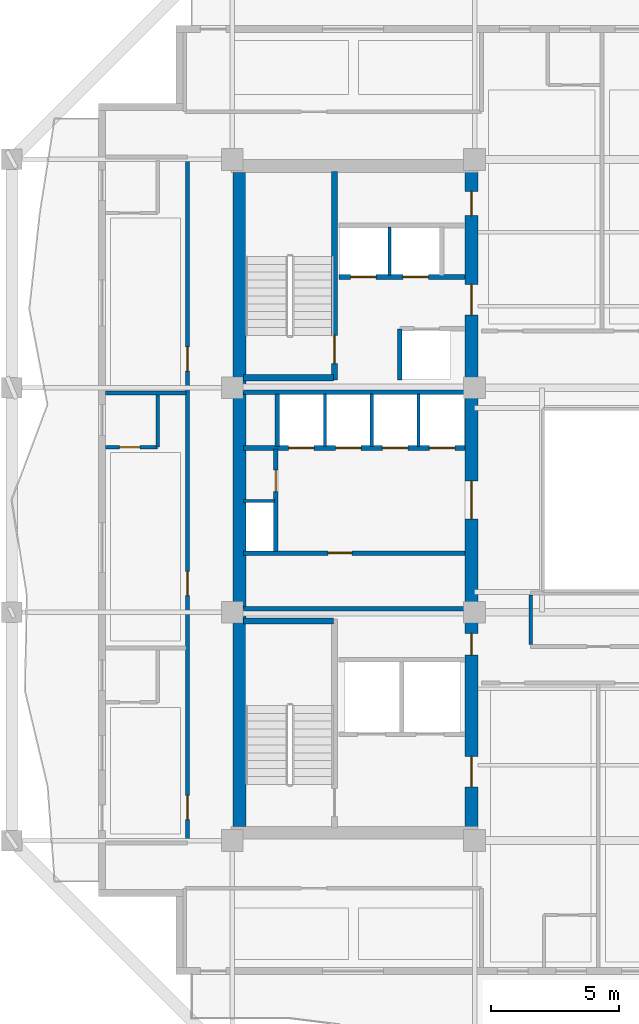
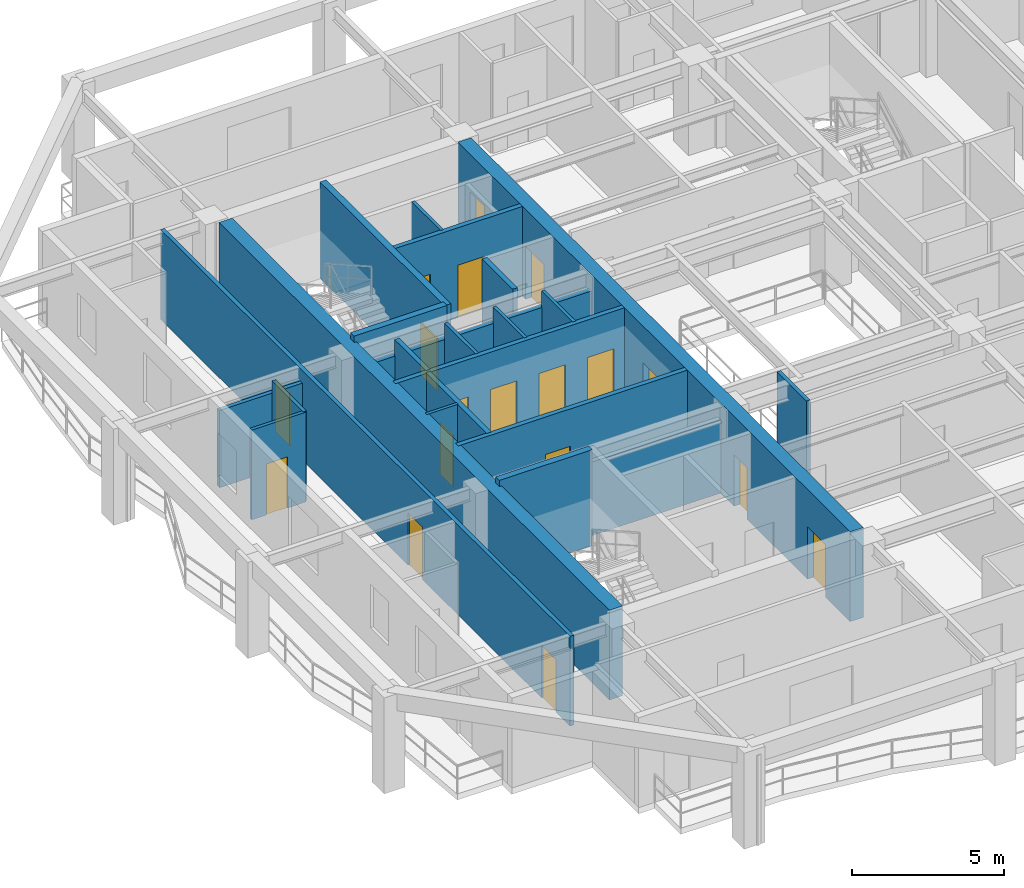
# One storey, part 4 of 11: 23 walls, 18 doors, 18 openings.
"""IFC4 building model written with IfcOpenShell, lengths in metres."""

from ifc_helpers import new_model, si_unit, direction, frame, frame_2d, origin, place, context, subcontext, project, spatial, rectangle, extrude, material, layer, layer_set, type_object, element, fill, save


model = new_model("IFC4")

# Units and contexts
model_context = context("Model", 3, precision=1e-05, world=origin(), true_north=direction((0.0, 1.0)))
body_context = subcontext(model_context, "Body", "Model", "MODEL_VIEW")
ifc_project = project(units=[si_unit("LENGTHUNIT", "METRE"), si_unit("AREAUNIT", "SQUARE_METRE"), si_unit("VOLUMEUNIT", "CUBIC_METRE"), si_unit("PLANEANGLEUNIT", "RADIAN"), si_unit("MASSUNIT", "GRAM", prefix="KILO")], contexts=[model_context])

# Site, building, storey
site_placement = place(None, origin())
site = spatial("IfcSite", under=ifc_project, at=site_placement, CompositionType="ELEMENT")
building_placement = place(site_placement, origin())
building = spatial("IfcBuilding", under=site, at=building_placement, Name="Kundavana Baori Tower", CompositionType="ELEMENT")
storey_placement = place(building_placement, frame((0.0, 0.0, 127.10009765625)))
storey = spatial("IfcBuildingStorey", under=building, at=storey_placement, Name="L30", CompositionType="ELEMENT", Elevation=127.10009765625)

# Wall
ifc_material_1 = material(Name="Concrete C50/60", Category="concrete")
ifc_layer_1 = layer(ifc_material_1, 0.39990234375, Name="WL-CORE-400")
ifc_layer_set_1 = layer_set([ifc_layer_1], Name="Concrete C50/60")
wall_type_1 = type_object("IfcWallType", Name="WL-CORE-400", PredefinedType="SHEAR", material=ifc_layer_set_1)
wall_1_placement = place(storey_placement, frame((15.89990234375, 23.860107421875, 0.0), z_axis=(0.0, 0.0, 1.0), x_axis=(1.0, 0.0, 0.0)))
element("IfcWall", 1, at=wall_1_placement, inside=storey, type_object=wall_type_1, Name="WL-L30-ST1-N", PredefinedType="SHEAR", context=body_context, shape_type="SweptSolid", body=[
    extrude(rectangle(XDim=3.52001953125, YDim=0.239990234375, at=frame_2d((1.760009765625, 0.0))), origin(), (0.0, 0.0, 1.0), 3.849853515625),
])

# Wall, opening, door
wall_2_placement = place(storey_placement, frame((19.4599609375, 33.300048828125, 0.0), z_axis=(0.0, 0.0, 1.0), x_axis=(0.0, 1.0, 0.0)))
wall_2 = element("IfcWall", 2, at=wall_2_placement, inside=storey, type_object=wall_type_1, Name="WL-L30-ST2-E", PredefinedType="SHEAR", context=body_context, shape_type="SweptSolid", body=[
    extrude(rectangle(XDim=8.179931640625, YDim=0.239990234375, at=frame_2d((4.08984375, 0.0))), origin(), (0.0, 0.0, 1.0), 3.849853515625),
])
opening_1_placement = place(wall_2_placement, frame((0.64990234375, 0.0, 0.0)))
opening_1 = element("IfcOpeningElement", 3, at=opening_1_placement, cuts=wall_2, Name="Opening FD-110", PredefinedType="OPENING", context=body_context, shape_type="SweptSolid", body=[
    extrude(rectangle(XDim=1.10009765625, YDim=2.10009765625, at=frame_2d((0.550048828125, 1.050048828125))), frame((0.0, 0.1298828125, 0.0), z_axis=(0.0, -1.0, 0.0), x_axis=(1.0, 0.0, 0.0)), (0.0, 0.0, 1.0), 0.260009765625),
])
ifc_material_2 = material(Name="Galvanised Steel Fire-Rated Door Leaf", Category="steel")
door_type_1 = type_object("IfcDoorType", Name="DR-FD120-1100", OperationType="NOTDEFINED", PredefinedType="DOOR", material=ifc_material_2)
door_1_placement = place(opening_1_placement, origin())
door_1 = element("IfcDoor", 4, at=door_1_placement, inside=storey, type_object=door_type_1, Name="DR-L30-ST2", OperationType="SINGLE_SWING_RIGHT", OverallHeight=2.10009765625, OverallWidth=1.10009765625, PredefinedType="DOOR", context=body_context, shape_type="SweptSolid", body=[
    extrude(rectangle(XDim=1.10009765625, YDim=2.10009765625, at=frame_2d((0.550048828125, 1.050048828125))), frame((0.0, 0.02490234375, 0.0), z_axis=(0.0, -1.0, 0.0), x_axis=(1.0, 0.0, 0.0)), (0.0, 0.0, 1.0), 0.050048828125),
])
fill(opening_1, door_1)

# Walls
wall_3_placement = place(storey_placement, frame((15.89990234375, 33.389892578125, 0.0), z_axis=(0.0, 0.0, 1.0), x_axis=(1.0, 0.0, 0.0)))
element("IfcWall", 5, at=wall_3_placement, inside=storey, type_object=wall_type_1, Name="WL-L30-ST2-S", PredefinedType="SHEAR", context=body_context, shape_type="SweptSolid", body=[
    extrude(rectangle(XDim=3.52001953125, YDim=0.239990234375, at=frame_2d((1.760009765625, 0.0))), origin(), (0.0, 0.0, 1.0), 3.849853515625),
])
ifc_material_3 = material(Name="Concrete C50/60", Category="concrete")
ifc_layer_2 = layer(ifc_material_3, 0.5, Name="WL-CORE-500")
ifc_layer_set_2 = layer_set([ifc_layer_2], Name="Concrete C50/60")
wall_type_2 = type_object("IfcWallType", Name="WL-CORE-500", PredefinedType="SHEAR", material=ifc_layer_set_2)
wall_4_placement = place(storey_placement, frame((15.739990234375, 15.81005859375, 0.0), z_axis=(0.0, 0.0, 1.0), x_axis=(0.0, 1.0, 0.0)))
element("IfcWall", 6, at=wall_4_placement, inside=storey, type_object=wall_type_2, Name="L30 Offset Core West Shear Wall", PredefinedType="SHEAR", context=body_context, shape_type="SweptSolid", body=[
    extrude(rectangle(XDim=25.6298828125, YDim=0.5, at=frame_2d((12.81494140625, 0.0))), origin(), (0.0, 0.0, 1.0), 3.599853515625),
])

# Wall, openings, doors
wall_5_placement = place(storey_placement, frame((24.830078125, 15.739990234375, 0.0), z_axis=(0.0, 0.0, 1.0), x_axis=(0.0, 1.0, 0.0)))
wall_5 = element("IfcWall", 7, at=wall_5_placement, inside=storey, type_object=wall_type_2, Name="L30 Offset Core East Shear Wall", PredefinedType="SHEAR", context=body_context, shape_type="SweptSolid", body=[
    extrude(rectangle(XDim=25.760009765625, YDim=0.5, at=frame_2d((12.8798828125, 0.0))), origin(), (0.0, 0.0, 1.0), 3.599853515625),
])
opening_2_placement = place(wall_5_placement, frame((1.610107421875, 0.0, 0.0)))
opening_2 = element("IfcOpeningElement", 8, at=opening_2_placement, cuts=wall_5, Name="Opening FD-120", PredefinedType="OPENING", context=body_context, shape_type="SweptSolid", body=[
    extrude(rectangle(XDim=1.199951171875, YDim=2.10009765625, at=frame_2d((0.60009765625, 1.050048828125))), frame((0.0, 0.260009765625, 0.0), z_axis=(0.0, -1.0, 0.0), x_axis=(1.0, 0.0, 0.0)), (0.0, 0.0, 1.0), 0.52001953125),
])
opening_3_placement = place(wall_5_placement, frame((6.780029296875, 0.0, 0.0)))
opening_3 = element("IfcOpeningElement", 9, at=opening_3_placement, cuts=wall_5, Name="Opening FD-085", PredefinedType="OPENING", context=body_context, shape_type="SweptSolid", body=[
    extrude(rectangle(XDim=0.85009765625, YDim=2.06005859375, at=frame_2d((0.425048828125, 1.030029296875))), frame((0.0, 0.260009765625, 0.0), z_axis=(0.0, -1.0, 0.0), x_axis=(1.0, 0.0, 0.0)), (0.0, 0.0, 1.0), 0.52001953125),
])
opening_4_placement = place(wall_5_placement, frame((12.110107421875, 0.0, 0.0)))
opening_4 = element("IfcOpeningElement", 10, at=opening_4_placement, cuts=wall_5, Name="Opening FD-150", PredefinedType="OPENING", context=body_context, shape_type="SweptSolid", body=[
    extrude(rectangle(XDim=1.5, YDim=2.1201171875, at=frame_2d((0.75, 1.06005859375))), frame((0.0, 0.260009765625, 0.0), z_axis=(0.0, -1.0, 0.0), x_axis=(1.0, 0.0, 0.0)), (0.0, 0.0, 1.0), 0.52001953125),
])
opening_5_placement = place(wall_5_placement, frame((20.110107421875, 0.0, 0.0)))
opening_5 = element("IfcOpeningElement", 11, at=opening_5_placement, cuts=wall_5, Name="Opening FD-122", PredefinedType="OPENING", context=body_context, shape_type="SweptSolid", body=[
    extrude(rectangle(XDim=1.199951171875, YDim=2.1201171875, at=frame_2d((0.60009765625, 1.06005859375))), frame((0.0, 0.260009765625, 0.0), z_axis=(0.0, -1.0, 0.0), x_axis=(1.0, 0.0, 0.0)), (0.0, 0.0, 1.0), 0.52001953125),
])
opening_6_placement = place(wall_5_placement, frame((24.010009765625, 0.0, 0.0)))
opening_6 = element("IfcOpeningElement", 12, at=opening_6_placement, cuts=wall_5, Name="Opening FD-095", PredefinedType="OPENING", context=body_context, shape_type="SweptSolid", body=[
    extrude(rectangle(XDim=0.949951171875, YDim=2.10009765625, at=frame_2d((0.47509765625, 1.050048828125))), frame((0.0, 0.260009765625, 0.0), z_axis=(0.0, -1.0, 0.0), x_axis=(1.0, 0.0, 0.0)), (0.0, 0.0, 1.0), 0.52001953125),
])
ifc_material_4 = material(Name="Galvanised Steel Fire-Rated Door Leaf", Category="steel")
door_type_2 = type_object("IfcDoorType", Name="DR-FD120-1200", OperationType="NOTDEFINED", PredefinedType="DOOR", material=ifc_material_4)
door_2_placement = place(opening_2_placement, frame((1.199951171875, 0.0, 0.0), z_axis=(0.0, 0.0, 1.0), x_axis=(-1.0, 0.0, 0.0)))
door_2 = element("IfcDoor", 13, at=door_2_placement, inside=storey, type_object=door_type_2, Name="DR-L30-FFLOB-E", OperationType="SINGLE_SWING_RIGHT", OverallHeight=2.10009765625, OverallWidth=1.199951171875, PredefinedType="DOOR", context=body_context, shape_type="SweptSolid", body=[
    extrude(rectangle(XDim=1.199951171875, YDim=2.10009765625, at=frame_2d((0.60009765625, 1.050048828125))), frame((0.0, 0.02490234375, 0.0), z_axis=(0.0, -1.0, 0.0), x_axis=(1.0, 0.0, 0.0)), (0.0, 0.0, 1.0), 0.050048828125),
])
fill(opening_2, door_2)
ifc_material_5 = material(Name="Galvanised Steel Fire-Rated Door Leaf", Category="steel")
door_type_3 = type_object("IfcDoorType", Name="DR-FD60-1200", OperationType="NOTDEFINED", PredefinedType="DOOR", material=ifc_material_5)
door_3_placement = place(opening_5_placement, frame((1.199951171875, 0.0, 0.0), z_axis=(0.0, 0.0, 1.0), x_axis=(-1.0, 0.0, 0.0)))
door_3 = element("IfcDoor", 14, at=door_3_placement, inside=storey, type_object=door_type_3, Name="DR-L30-HRLOB-E", OperationType="SINGLE_SWING_RIGHT", OverallHeight=2.1201171875, OverallWidth=1.199951171875, PredefinedType="DOOR", context=body_context, shape_type="SweptSolid", body=[
    extrude(rectangle(XDim=1.199951171875, YDim=2.1201171875, at=frame_2d((0.60009765625, 1.06005859375))), frame((0.0, 0.02490234375, 0.0), z_axis=(0.0, -1.0, 0.0), x_axis=(1.0, 0.0, 0.0)), (0.0, 0.0, 1.0), 0.050048828125),
])
fill(opening_5, door_3)
ifc_material_6 = material(Name="Galvanised Steel Fire-Rated Door Leaf", Category="steel")
door_type_4 = type_object("IfcDoorType", Name="DR-FD60-1500", OperationType="NOTDEFINED", PredefinedType="DOOR", material=ifc_material_6)
door_4_placement = place(opening_4_placement, frame((1.5, 0.0, 0.0), z_axis=(0.0, 0.0, 1.0), x_axis=(-1.0, 0.0, 0.0)))
door_4 = element("IfcDoor", 15, at=door_4_placement, inside=storey, type_object=door_type_4, Name="DR-L30-LIFTHALL-E", OperationType="SINGLE_SWING_LEFT", OverallHeight=2.1201171875, OverallWidth=1.5, PredefinedType="DOOR", context=body_context, shape_type="SweptSolid", body=[
    extrude(rectangle(XDim=1.5, YDim=2.1201171875, at=frame_2d((0.75, 1.06005859375))), frame((0.0, 0.02490234375, 0.0), z_axis=(0.0, -1.0, 0.0), x_axis=(1.0, 0.0, 0.0)), (0.0, 0.0, 1.0), 0.050048828125),
])
fill(opening_4, door_4)
ifc_material_7 = material(Name="Galvanised Steel Fire-Rated Door Leaf", Category="steel")
door_type_5 = type_object("IfcDoorType", Name="DR-FD60-850", OperationType="NOTDEFINED", PredefinedType="DOOR", material=ifc_material_7)
door_5_placement = place(opening_3_placement, frame((0.85009765625, 0.0, 0.0), z_axis=(0.0, 0.0, 1.0), x_axis=(-1.0, 0.0, 0.0)))
door_5 = element("IfcDoor", 16, at=door_5_placement, inside=storey, type_object=door_type_5, Name="DR-L30-CSMK1", OperationType="SINGLE_SWING_LEFT", OverallHeight=2.06005859375, OverallWidth=0.85009765625, PredefinedType="DOOR", context=body_context, shape_type="SweptSolid", body=[
    extrude(rectangle(XDim=0.85009765625, YDim=2.06005859375, at=frame_2d((0.425048828125, 1.030029296875))), frame((0.0, 0.02490234375, 0.0), z_axis=(0.0, -1.0, 0.0), x_axis=(1.0, 0.0, 0.0)), (0.0, 0.0, 1.0), 0.050048828125),
])
fill(opening_3, door_5)
ifc_material_8 = material(Name="Engineered Teak Fire-Rated Timber Door Leaf", Category="wood")
door_type_6 = type_object("IfcDoorType", Name="DR-FD60-950", OperationType="NOTDEFINED", PredefinedType="DOOR", material=ifc_material_8)
door_6_placement = place(opening_6_placement, frame((0.949951171875, 0.0, 0.0), z_axis=(0.0, 0.0, 1.0), x_axis=(-1.0, 0.0, 0.0)))
door_6 = element("IfcDoor", 17, at=door_6_placement, inside=storey, type_object=door_type_6, Name="DR-L30-CSRV1", OperationType="SINGLE_SWING_LEFT", OverallHeight=2.10009765625, OverallWidth=0.949951171875, PredefinedType="DOOR", context=body_context, shape_type="SweptSolid", body=[
    extrude(rectangle(XDim=0.949951171875, YDim=2.10009765625, at=frame_2d((0.47509765625, 1.050048828125))), frame((0.0, 0.02490234375, 0.0), z_axis=(0.0, -1.0, 0.0), x_axis=(1.0, 0.0, 0.0)), (0.0, 0.0, 1.0), 0.050048828125),
])
fill(opening_6, door_6)

# Walls
ifc_material_9 = material(Name="Acoustic Gypsum Plasterboard on Galvanised Steel Studs", Category="steel")
ifc_layer_3 = layer(ifc_material_9, 0.1201171875, Name="WL-PART-120")
ifc_layer_set_3 = layer_set([ifc_layer_3], Name="Acoustic Gypsum Plasterboard on Galvanised Steel Studs")
wall_type_3 = type_object("IfcWallType", Name="WL-PART-120", PredefinedType="PARTITIONING", material=ifc_layer_set_3)
wall_6_placement = place(storey_placement, frame((15.89990234375, 28.56005859375, 0.0), z_axis=(0.0, 0.0, 1.0), x_axis=(1.0, 0.0, 0.0)))
element("IfcWall", 18, at=wall_6_placement, inside=storey, type_object=wall_type_3, Name="WL-L30-RSRW-N", PredefinedType="PARTITIONING", context=body_context, shape_type="SweptSolid", body=[
    extrude(rectangle(XDim=1.2001953125, YDim=0.1201171875, at=frame_2d((0.60009765625, 0.0))), origin(), (0.0, 0.0, 1.0), 3.599853515625),
])
for number, where, z_axis, x_axis, name in (
    (19, (19.080078125, 30.699951171875, 0.0), (0.0, 0.0, 1.0), (0.0, 1.0, 0.0), "WL-L30-LPMID-D1"),
    (20, (20.919921875, 30.699951171875, 0.0), (0.0, 0.0, 1.0), (0.0, 1.0, 0.0), "WL-L30-LPMID-D2"),
    (21, (22.760009765625, 30.699951171875, 0.0), (0.0, 0.0, 1.0), (0.0, 1.0, 0.0), "WL-L30-LPMID-D3"),
):
    element("IfcWall", number, at=place(storey_placement, frame(where, z_axis=z_axis, x_axis=x_axis)), inside=storey, type_object=wall_type_3, Name=name, PredefinedType="PARTITIONING", context=body_context, shape_type="SweptSolid", body=[
        extrude(rectangle(XDim=2.050048828125, YDim=0.1201171875, at=frame_2d((1.02490234375, 0.0))), origin(), (0.0, 0.0, 1.0), 3.599853515625),
    ])
wall_7_placement = place(storey_placement, frame((21.6201171875, 37.39990234375, 0.0), z_axis=(0.0, 0.0, 1.0), x_axis=(0.0, 1.0, 0.0)))
element("IfcWall", 22, at=wall_7_placement, inside=storey, type_object=wall_type_3, Name="WL-L30-HR-DIV1", PredefinedType="PARTITIONING", context=body_context, shape_type="SweptSolid", body=[
    extrude(rectangle(XDim=1.900146484375, YDim=0.1201171875, at=frame_2d((0.9501953125, 0.0))), origin(), (0.0, 0.0, 1.0), 3.599853515625),
])

# Wall, openings, doors
ifc_material_10 = material(Name="Fire-Rated Gypsum Drywall on Galvanised Steel Studs", Category="steel")
ifc_layer_4 = layer(ifc_material_10, 0.14990234375, Name="WL-PART-150")
ifc_layer_set_4 = layer_set([ifc_layer_4], Name="Fire-Rated Gypsum Drywall on Galvanised Steel Studs")
wall_type_4 = type_object("IfcWallType", Name="WL-PART-150", PredefinedType="PARTITIONING", material=ifc_layer_set_4)
wall_8_placement = place(storey_placement, frame((13.699951171875, 15.159912109375, 0.0), z_axis=(0.0, 0.0, 1.0), x_axis=(0.0, 1.0, 0.0)))
wall_8 = element("IfcWall", 23, at=wall_8_placement, inside=storey, type_object=wall_type_4, Name="WL-L30-HW", PredefinedType="PARTITIONING", context=body_context, shape_type="SweptSolid", body=[
    extrude(rectangle(XDim=26.880126953125, YDim=0.14990234375, at=frame_2d((13.43994140625, 0.0))), origin(), (0.0, 0.0, 1.0), 3.599853515625),
])
opening_7_placement = place(wall_8_placement, frame((0.909912109375, 0.0, 0.0)))
opening_7 = element("IfcOpeningElement", 24, at=opening_7_placement, cuts=wall_8, Name="Opening FD-095", PredefinedType="OPENING", context=body_context, shape_type="SweptSolid", body=[
    extrude(rectangle(XDim=0.949951171875, YDim=2.10009765625, at=frame_2d((0.47509765625, 1.050048828125))), frame((0.0, 0.0849609375, 0.0), z_axis=(0.0, -1.0, 0.0), x_axis=(1.0, 0.0, 0.0)), (0.0, 0.0, 1.0), 0.169921875),
])
opening_8_placement = place(wall_8_placement, frame((9.68994140625, 0.0, 0.0)))
opening_8 = element("IfcOpeningElement", 25, at=opening_8_placement, cuts=wall_8, Name="Opening FD-095", PredefinedType="OPENING", context=body_context, shape_type="SweptSolid", body=[
    extrude(rectangle(XDim=0.949951171875, YDim=2.10009765625, at=frame_2d((0.47509765625, 1.050048828125))), frame((0.0, 0.0849609375, 0.0), z_axis=(0.0, -1.0, 0.0), x_axis=(1.0, 0.0, 0.0)), (0.0, 0.0, 1.0), 0.169921875),
])
opening_9_placement = place(wall_8_placement, frame((18.489990234375, 0.0, 0.0)))
opening_9 = element("IfcOpeningElement", 26, at=opening_9_placement, cuts=wall_8, Name="Opening FD-095", PredefinedType="OPENING", context=body_context, shape_type="SweptSolid", body=[
    extrude(rectangle(XDim=0.949951171875, YDim=2.10009765625, at=frame_2d((0.47509765625, 1.050048828125))), frame((0.0, 0.0849609375, 0.0), z_axis=(0.0, -1.0, 0.0), x_axis=(1.0, 0.0, 0.0)), (0.0, 0.0, 1.0), 0.169921875),
])
door_7_placement = place(opening_7_placement, origin())
door_7 = element("IfcDoor", 27, at=door_7_placement, inside=storey, type_object=door_type_6, Name="DR-L30-HK-W1-ENT", OperationType="SINGLE_SWING_LEFT", OverallHeight=2.10009765625, OverallWidth=0.949951171875, PredefinedType="DOOR", context=body_context, shape_type="SweptSolid", body=[
    extrude(rectangle(XDim=0.949951171875, YDim=2.10009765625, at=frame_2d((0.47509765625, 1.050048828125))), frame((0.0, 0.02490234375, 0.0), z_axis=(0.0, -1.0, 0.0), x_axis=(1.0, 0.0, 0.0)), (0.0, 0.0, 1.0), 0.050048828125),
])
fill(opening_7, door_7)
door_8_placement = place(opening_8_placement, origin())
door_8 = element("IfcDoor", 28, at=door_8_placement, inside=storey, type_object=door_type_6, Name="DR-L30-HK-W2-ENT", OperationType="SINGLE_SWING_LEFT", OverallHeight=2.10009765625, OverallWidth=0.949951171875, PredefinedType="DOOR", context=body_context, shape_type="SweptSolid", body=[
    extrude(rectangle(XDim=0.949951171875, YDim=2.10009765625, at=frame_2d((0.47509765625, 1.050048828125))), frame((0.0, 0.02490234375, 0.0), z_axis=(0.0, -1.0, 0.0), x_axis=(1.0, 0.0, 0.0)), (0.0, 0.0, 1.0), 0.050048828125),
])
fill(opening_8, door_8)
door_9_placement = place(opening_9_placement, origin())
door_9 = element("IfcDoor", 29, at=door_9_placement, inside=storey, type_object=door_type_6, Name="DR-L30-HK-W3-ENT", OperationType="SINGLE_SWING_LEFT", OverallHeight=2.10009765625, OverallWidth=0.949951171875, PredefinedType="DOOR", context=body_context, shape_type="SweptSolid", body=[
    extrude(rectangle(XDim=0.949951171875, YDim=2.10009765625, at=frame_2d((0.47509765625, 1.050048828125))), frame((0.0, 0.02490234375, 0.0), z_axis=(0.0, -1.0, 0.0), x_axis=(1.0, 0.0, 0.0)), (0.0, 0.0, 1.0), 0.050048828125),
])
fill(opening_9, door_9)

# Walls
wall_9_placement = place(storey_placement, frame((27.14990234375, 22.93994140625, 0.0), z_axis=(0.0, 0.0, 1.0), x_axis=(0.0, 1.0, 0.0)))
element("IfcWall", 30, at=wall_9_placement, inside=storey, type_object=wall_type_4, Name="WL-L30-HPN2", PredefinedType="PARTITIONING", context=body_context, shape_type="SweptSolid", body=[
    extrude(rectangle(XDim=1.93994140625, YDim=0.14990234375, at=frame_2d((0.969970703125, 0.0))), origin(), (0.0, 0.0, 1.0), 3.599853515625),
])
wall_10_placement = place(storey_placement, frame((10.47998046875, 32.800048828125, 0.0), z_axis=(0.0, 0.0, 1.0), x_axis=(1.0, 0.0, 0.0)))
element("IfcWall", 31, at=wall_10_placement, inside=storey, type_object=wall_type_4, Name="WL-L30-HWD2", PredefinedType="PARTITIONING", context=body_context, shape_type="SweptSolid", body=[
    extrude(rectangle(XDim=3.159912109375, YDim=0.14990234375, at=frame_2d((1.580078125, 0.0))), origin(), (0.0, 0.0, 1.0), 3.099853515625),
])

# Wall, opening, door
ifc_material_11 = material(Name="Autoclaved Aerated Concrete Blockwork Masonry", Category="masonry")
ifc_layer_5 = layer(ifc_material_11, 0.179931640625, Name="WL-SHAFT-180")
ifc_layer_set_5 = layer_set([ifc_layer_5], Name="Autoclaved Aerated Concrete Blockwork Masonry")
wall_type_5 = type_object("IfcWallType", Name="WL-SHAFT-180", PredefinedType="SOLIDWALL", material=ifc_layer_set_5)
wall_11_placement = place(storey_placement, frame((15.89990234375, 26.52001953125, 0.0), z_axis=(0.0, 0.0, 1.0), x_axis=(1.0, 0.0, 0.0)))
wall_11 = element("IfcWall", 32, at=wall_11_placement, inside=storey, type_object=wall_type_5, Name="WL-L30-LPLOW-N", PredefinedType="SOLIDWALL", context=body_context, shape_type="SweptSolid", body=[
    extrude(rectangle(XDim=8.68017578125, YDim=0.179931640625, at=frame_2d((4.340087890625, 0.0))), origin(), (0.0, 0.0, 1.0), 3.599853515625),
])
opening_10_placement = place(wall_11_placement, frame((3.300048828125, 0.0, 0.0)))
opening_10 = element("IfcOpeningElement", 33, at=opening_10_placement, cuts=wall_11, Name="Opening FD-095", PredefinedType="OPENING", context=body_context, shape_type="SweptSolid", body=[
    extrude(rectangle(XDim=0.949951171875, YDim=2.10009765625, at=frame_2d((0.47509765625, 1.050048828125))), frame((0.0, 0.10009765625, 0.0), z_axis=(0.0, -1.0, 0.0), x_axis=(1.0, 0.0, 0.0)), (0.0, 0.0, 1.0), 0.199951171875),
])
door_10_placement = place(opening_10_placement, origin())
door_10 = element("IfcDoor", 34, at=door_10_placement, inside=storey, type_object=door_type_6, Name="DR-L30-FRLOW1", OperationType="SINGLE_SWING_LEFT", OverallHeight=2.10009765625, OverallWidth=0.949951171875, PredefinedType="DOOR", context=body_context, shape_type="SweptSolid", body=[
    extrude(rectangle(XDim=0.949951171875, YDim=2.10009765625, at=frame_2d((0.47509765625, 1.050048828125))), frame((0.0, 0.02490234375, 0.0), z_axis=(0.0, -1.0, 0.0), x_axis=(1.0, 0.0, 0.0)), (0.0, 0.0, 1.0), 0.050048828125),
])
fill(opening_10, door_10)

# Wall
wall_12_placement = place(storey_placement, frame((15.89990234375, 24.330078125, 0.0), z_axis=(0.0, 0.0, 1.0), x_axis=(1.0, 0.0, 0.0)))
element("IfcWall", 35, at=wall_12_placement, inside=storey, type_object=wall_type_5, Name="WL-L30-LPLOW-S", PredefinedType="SOLIDWALL", context=body_context, shape_type="SweptSolid", body=[
    extrude(rectangle(XDim=8.68017578125, YDim=0.179931640625, at=frame_2d((4.340087890625, 0.0))), origin(), (0.0, 0.0, 1.0), 2.949951171875),
])

# Wall, opening, door
wall_13_placement = place(storey_placement, frame((17.159912109375, 26.580078125, 0.0), z_axis=(0.0, 0.0, 1.0), x_axis=(0.0, 1.0, 0.0)))
wall_13 = element("IfcWall", 36, at=wall_13_placement, inside=storey, type_object=wall_type_5, Name="WL-L30-RSRW-E", PredefinedType="SOLIDWALL", context=body_context, shape_type="SweptSolid", body=[
    extrude(rectangle(XDim=4.02001953125, YDim=0.179931640625, at=frame_2d((2.010009765625, 0.0))), origin(), (0.0, 0.0, 1.0), 3.599853515625),
])
opening_11_placement = place(wall_13_placement, frame((2.35009765625, 0.0, 0.0)))
opening_11 = element("IfcOpeningElement", 37, at=opening_11_placement, cuts=wall_13, Name="Opening FD-085", PredefinedType="OPENING", context=body_context, shape_type="SweptSolid", body=[
    extrude(rectangle(XDim=0.85009765625, YDim=2.06005859375, at=frame_2d((0.425048828125, 1.030029296875))), frame((0.0, 0.10009765625, 0.0), z_axis=(0.0, -1.0, 0.0), x_axis=(1.0, 0.0, 0.0)), (0.0, 0.0, 1.0), 0.199951171875),
])
door_11_placement = place(opening_11_placement, origin())
door_11 = element("IfcDoor", 38, at=door_11_placement, inside=storey, type_object=door_type_5, Name="DR-L30-CLN", OperationType="SINGLE_SWING_RIGHT", OverallHeight=2.06005859375, OverallWidth=0.85009765625, PredefinedType="DOOR", context=body_context, shape_type="SweptSolid", body=[
    extrude(rectangle(XDim=0.85009765625, YDim=2.06005859375, at=frame_2d((0.425048828125, 1.030029296875))), frame((0.0, 0.02490234375, 0.0), z_axis=(0.0, -1.0, 0.0), x_axis=(1.0, 0.0, 0.0)), (0.0, 0.0, 1.0), 0.050048828125),
])
fill(opening_11, door_11)

# Wall, openings, doors
wall_14_placement = place(storey_placement, frame((15.89990234375, 30.639892578125, 0.0), z_axis=(0.0, 0.0, 1.0), x_axis=(1.0, 0.0, 0.0)))
wall_14 = element("IfcWall", 39, at=wall_14_placement, inside=storey, type_object=wall_type_5, Name="WL-L30-LPMID-S", PredefinedType="SOLIDWALL", context=body_context, shape_type="SweptSolid", body=[
    extrude(rectangle(XDim=8.68017578125, YDim=0.179931640625, at=frame_2d((4.340087890625, 0.0))), origin(), (0.0, 0.0, 1.0), 3.599853515625),
])
opening_12_placement = place(wall_14_placement, frame((1.760009765625, 0.0, 0.0)))
opening_12 = element("IfcOpeningElement", 40, at=opening_12_placement, cuts=wall_14, Name="Opening LD-100", PredefinedType="OPENING", context=body_context, shape_type="SweptSolid", body=[
    extrude(rectangle(XDim=1.0, YDim=2.10009765625, at=frame_2d((0.5, 1.050048828125))), frame((0.0, 0.10009765625, 0.0), z_axis=(0.0, -1.0, 0.0), x_axis=(1.0, 0.0, 0.0)), (0.0, 0.0, 1.0), 0.199951171875),
])
opening_13_placement = place(wall_14_placement, frame((3.60009765625, 0.0, 0.0)))
opening_13 = element("IfcOpeningElement", 41, at=opening_13_placement, cuts=wall_14, Name="Opening LD-100", PredefinedType="OPENING", context=body_context, shape_type="SweptSolid", body=[
    extrude(rectangle(XDim=1.0, YDim=2.10009765625, at=frame_2d((0.5, 1.050048828125))), frame((0.0, 0.10009765625, 0.0), z_axis=(0.0, -1.0, 0.0), x_axis=(1.0, 0.0, 0.0)), (0.0, 0.0, 1.0), 0.199951171875),
])
opening_14_placement = place(wall_14_placement, frame((5.43994140625, 0.0, 0.0)))
opening_14 = element("IfcOpeningElement", 42, at=opening_14_placement, cuts=wall_14, Name="Opening LD-100", PredefinedType="OPENING", context=body_context, shape_type="SweptSolid", body=[
    extrude(rectangle(XDim=1.0, YDim=2.10009765625, at=frame_2d((0.5, 1.050048828125))), frame((0.0, 0.10009765625, 0.0), z_axis=(0.0, -1.0, 0.0), x_axis=(1.0, 0.0, 0.0)), (0.0, 0.0, 1.0), 0.199951171875),
])
opening_15_placement = place(wall_14_placement, frame((7.280029296875, 0.0, 0.0)))
opening_15 = element("IfcOpeningElement", 43, at=opening_15_placement, cuts=wall_14, Name="Opening LD-100", PredefinedType="OPENING", context=body_context, shape_type="SweptSolid", body=[
    extrude(rectangle(XDim=1.0, YDim=2.10009765625, at=frame_2d((0.5, 1.050048828125))), frame((0.0, 0.10009765625, 0.0), z_axis=(0.0, -1.0, 0.0), x_axis=(1.0, 0.0, 0.0)), (0.0, 0.0, 1.0), 0.199951171875),
])
ifc_material_12 = material(Name="Galvanised Steel Fire-Rated Door Leaf", Category="steel")
door_type_7 = type_object("IfcDoorType", Name="DR-SLIDE-LD1000", OperationType="NOTDEFINED", PredefinedType="DOOR", material=ifc_material_12)
door_12_placement = place(opening_12_placement, frame((1.0, 0.0, 0.0), z_axis=(0.0, 0.0, 1.0), x_axis=(-1.0, 0.0, 0.0)))
door_12 = element("IfcDoor", 44, at=door_12_placement, inside=storey, type_object=door_type_7, Name="DR-L30-LD-LP-05", OperationType="DOUBLE_DOOR_SLIDING", OverallHeight=2.10009765625, OverallWidth=1.0, PredefinedType="DOOR", context=body_context, shape_type="SweptSolid", body=[
    extrude(rectangle(XDim=1.0, YDim=2.10009765625, at=frame_2d((0.5, 1.050048828125))), frame((0.0, 0.02490234375, 0.0), z_axis=(0.0, -1.0, 0.0), x_axis=(1.0, 0.0, 0.0)), (0.0, 0.0, 1.0), 0.050048828125),
])
fill(opening_12, door_12)
door_13_placement = place(opening_13_placement, frame((1.0, 0.0, 0.0), z_axis=(0.0, 0.0, 1.0), x_axis=(-1.0, 0.0, 0.0)))
door_13 = element("IfcDoor", 45, at=door_13_placement, inside=storey, type_object=door_type_7, Name="DR-L30-LD-LP-06", OperationType="DOUBLE_DOOR_SLIDING", OverallHeight=2.10009765625, OverallWidth=1.0, PredefinedType="DOOR", context=body_context, shape_type="SweptSolid", body=[
    extrude(rectangle(XDim=1.0, YDim=2.10009765625, at=frame_2d((0.5, 1.050048828125))), frame((0.0, 0.02490234375, 0.0), z_axis=(0.0, -1.0, 0.0), x_axis=(1.0, 0.0, 0.0)), (0.0, 0.0, 1.0), 0.050048828125),
])
fill(opening_13, door_13)
door_14_placement = place(opening_14_placement, frame((1.0, 0.0, 0.0), z_axis=(0.0, 0.0, 1.0), x_axis=(-1.0, 0.0, 0.0)))
door_14 = element("IfcDoor", 46, at=door_14_placement, inside=storey, type_object=door_type_7, Name="DR-L30-LD-LP-07", OperationType="DOUBLE_DOOR_SLIDING", OverallHeight=2.10009765625, OverallWidth=1.0, PredefinedType="DOOR", context=body_context, shape_type="SweptSolid", body=[
    extrude(rectangle(XDim=1.0, YDim=2.10009765625, at=frame_2d((0.5, 1.050048828125))), frame((0.0, 0.02490234375, 0.0), z_axis=(0.0, -1.0, 0.0), x_axis=(1.0, 0.0, 0.0)), (0.0, 0.0, 1.0), 0.050048828125),
])
fill(opening_14, door_14)
door_15_placement = place(opening_15_placement, frame((1.0, 0.0, 0.0), z_axis=(0.0, 0.0, 1.0), x_axis=(-1.0, 0.0, 0.0)))
door_15 = element("IfcDoor", 47, at=door_15_placement, inside=storey, type_object=door_type_7, Name="DR-L30-LD-LP-08", OperationType="DOUBLE_DOOR_SLIDING", OverallHeight=2.10009765625, OverallWidth=1.0, PredefinedType="DOOR", context=body_context, shape_type="SweptSolid", body=[
    extrude(rectangle(XDim=1.0, YDim=2.10009765625, at=frame_2d((0.5, 1.050048828125))), frame((0.0, 0.02490234375, 0.0), z_axis=(0.0, -1.0, 0.0), x_axis=(1.0, 0.0, 0.0)), (0.0, 0.0, 1.0), 0.050048828125),
])
fill(opening_15, door_15)

# Walls
wall_15_placement = place(storey_placement, frame((15.89990234375, 32.820068359375, 0.0), z_axis=(0.0, 0.0, 1.0), x_axis=(1.0, 0.0, 0.0)))
element("IfcWall", 48, at=wall_15_placement, inside=storey, type_object=wall_type_5, Name="WL-L30-LPMID-N", PredefinedType="SOLIDWALL", context=body_context, shape_type="SweptSolid", body=[
    extrude(rectangle(XDim=8.68017578125, YDim=0.179931640625, at=frame_2d((4.340087890625, 0.0))), origin(), (0.0, 0.0, 1.0), 2.949951171875),
])
wall_16_placement = place(storey_placement, frame((17.219970703125, 30.699951171875, 0.0), z_axis=(0.0, 0.0, 1.0), x_axis=(0.0, 1.0, 0.0)))
element("IfcWall", 49, at=wall_16_placement, inside=storey, type_object=wall_type_5, Name="WL-L30-LPMID-W", PredefinedType="SOLIDWALL", context=body_context, shape_type="SweptSolid", body=[
    extrude(rectangle(XDim=2.050048828125, YDim=0.179931640625, at=frame_2d((1.02490234375, 0.0))), origin(), (0.0, 0.0, 1.0), 3.599853515625),
])
wall_17_placement = place(storey_placement, frame((22.02001953125, 33.300048828125, 0.0), z_axis=(0.0, 0.0, 1.0), x_axis=(0.0, 1.0, 0.0)))
element("IfcWall", 50, at=wall_17_placement, inside=storey, type_object=wall_type_5, Name="WL-L30-LP11-W", PredefinedType="SOLIDWALL", context=body_context, shape_type="SweptSolid", body=[
    extrude(rectangle(XDim=2.010009765625, YDim=0.179931640625, at=frame_2d((1.0048828125, 0.0))), origin(), (0.0, 0.0, 1.0), 3.599853515625),
])

# Wall, openings, doors
wall_18_placement = place(storey_placement, frame((19.639892578125, 37.340087890625, 0.0), z_axis=(0.0, 0.0, 1.0), x_axis=(1.0, 0.0, 0.0)))
wall_18 = element("IfcWall", 51, at=wall_18_placement, inside=storey, type_object=wall_type_5, Name="WL-L30-HRLOB-N", PredefinedType="SOLIDWALL", context=body_context, shape_type="SweptSolid", body=[
    extrude(rectangle(XDim=4.940185546875, YDim=0.179931640625, at=frame_2d((2.47021484375, 0.0))), origin(), (0.0, 0.0, 1.0), 3.599853515625),
])
opening_16_placement = place(wall_18_placement, frame((0.449951171875, 0.0, 0.0)))
opening_16 = element("IfcOpeningElement", 52, at=opening_16_placement, cuts=wall_18, Name="Opening LD-100", PredefinedType="OPENING", context=body_context, shape_type="SweptSolid", body=[
    extrude(rectangle(XDim=1.0, YDim=2.10009765625, at=frame_2d((0.5, 1.050048828125))), frame((0.0, 0.10009765625, 0.0), z_axis=(0.0, -1.0, 0.0), x_axis=(1.0, 0.0, 0.0)), (0.0, 0.0, 1.0), 0.199951171875),
])
opening_17_placement = place(wall_18_placement, frame((2.5, 0.0, 0.0)))
opening_17 = element("IfcOpeningElement", 53, at=opening_17_placement, cuts=wall_18, Name="Opening LD-100", PredefinedType="OPENING", context=body_context, shape_type="SweptSolid", body=[
    extrude(rectangle(XDim=1.0, YDim=2.10009765625, at=frame_2d((0.5, 1.050048828125))), frame((0.0, 0.10009765625, 0.0), z_axis=(0.0, -1.0, 0.0), x_axis=(1.0, 0.0, 0.0)), (0.0, 0.0, 1.0), 0.199951171875),
])
door_16_placement = place(opening_16_placement, frame((1.0, 0.0, 0.0), z_axis=(0.0, 0.0, 1.0), x_axis=(-1.0, 0.0, 0.0)))
door_16 = element("IfcDoor", 54, at=door_16_placement, inside=storey, type_object=door_type_7, Name="DR-L30-LD-LP09", OperationType="DOUBLE_DOOR_SLIDING", OverallHeight=2.10009765625, OverallWidth=1.0, PredefinedType="DOOR", context=body_context, shape_type="SweptSolid", body=[
    extrude(rectangle(XDim=1.0, YDim=2.10009765625, at=frame_2d((0.5, 1.050048828125))), frame((0.0, 0.02490234375, 0.0), z_axis=(0.0, -1.0, 0.0), x_axis=(1.0, 0.0, 0.0)), (0.0, 0.0, 1.0), 0.050048828125),
])
fill(opening_16, door_16)
door_17_placement = place(opening_17_placement, frame((1.0, 0.0, 0.0), z_axis=(0.0, 0.0, 1.0), x_axis=(-1.0, 0.0, 0.0)))
door_17 = element("IfcDoor", 55, at=door_17_placement, inside=storey, type_object=door_type_7, Name="DR-L30-LD-LP10", OperationType="DOUBLE_DOOR_SLIDING", OverallHeight=2.10009765625, OverallWidth=1.0, PredefinedType="DOOR", context=body_context, shape_type="SweptSolid", body=[
    extrude(rectangle(XDim=1.0, YDim=2.10009765625, at=frame_2d((0.5, 1.050048828125))), frame((0.0, 0.02490234375, 0.0), z_axis=(0.0, -1.0, 0.0), x_axis=(1.0, 0.0, 0.0)), (0.0, 0.0, 1.0), 0.050048828125),
])
fill(opening_17, door_17)

# Wall
ifc_material_13 = material(Name="Autoclaved Aerated Concrete Blockwork Masonry", Category="masonry")
ifc_layer_6 = layer(ifc_material_13, 0.125, Name="WL-WET-120")
ifc_layer_set_6 = layer_set([ifc_layer_6], Name="Autoclaved Aerated Concrete Blockwork Masonry")
wall_type_6 = type_object("IfcWallType", Name="WL-WET-120", PredefinedType="PLUMBINGWALL", material=ifc_layer_set_6)
wall_19_placement = place(storey_placement, frame((12.530029296875, 30.669921875, 0.0), z_axis=(0.0, 0.0, 1.0), x_axis=(0.0, 1.0, 0.0)))
element("IfcWall", 56, at=wall_19_placement, inside=storey, type_object=wall_type_6, Name="WL-L30-HK-W2-BE", PredefinedType="PLUMBINGWALL", context=body_context, shape_type="SweptSolid", body=[
    extrude(rectangle(XDim=2.050048828125, YDim=0.125, at=frame_2d((1.02490234375, 0.0))), origin(), (0.0, 0.0, 1.0), 3.599853515625),
])

# Wall, opening, door
wall_20_placement = place(storey_placement, frame((10.47998046875, 30.669921875, 0.0), z_axis=(0.0, 0.0, 1.0), x_axis=(1.0, 0.0, 0.0)))
wall_20 = element("IfcWall", 57, at=wall_20_placement, inside=storey, type_object=wall_type_6, Name="WL-L30-HK-W2-BS", PredefinedType="PLUMBINGWALL", context=body_context, shape_type="SweptSolid", body=[
    extrude(rectangle(XDim=2.050048828125, YDim=0.125, at=frame_2d((1.02490234375, 0.0))), origin(), (0.0, 0.0, 1.0), 3.599853515625),
])
opening_18_placement = place(wall_20_placement, frame((0.550048828125, 0.0, 0.0)))
opening_18 = element("IfcOpeningElement", 58, at=opening_18_placement, cuts=wall_20, Name="Opening WD-080", PredefinedType="OPENING", context=body_context, shape_type="SweptSolid", body=[
    extrude(rectangle(XDim=0.800048828125, YDim=2.050048828125, at=frame_2d((0.39990234375, 1.02490234375))), frame((0.0, 0.072509765625, 0.0), z_axis=(0.0, -1.0, 0.0), x_axis=(1.0, 0.0, 0.0)), (0.0, 0.0, 1.0), 0.14501953125),
])
ifc_material_14 = material(Name="Engineered Teak Solid-Core Timber Veneer", Category="wood")
door_type_8 = type_object("IfcDoorType", Name="DR-WET-800", OperationType="NOTDEFINED", PredefinedType="DOOR", material=ifc_material_14)
door_18_placement = place(opening_18_placement, frame((0.800048828125, 0.0, 0.0), z_axis=(0.0, 0.0, 1.0), x_axis=(-1.0, 0.0, 0.0)))
door_18 = element("IfcDoor", 59, at=door_18_placement, inside=storey, type_object=door_type_8, Name="DR-L30-HK-W2-ENS", OperationType="SINGLE_SWING_LEFT", OverallHeight=2.050048828125, OverallWidth=0.800048828125, PredefinedType="DOOR", context=body_context, shape_type="SweptSolid", body=[
    extrude(rectangle(XDim=0.800048828125, YDim=2.050048828125, at=frame_2d((0.39990234375, 1.02490234375))), frame((0.0, 0.02490234375, 0.0), z_axis=(0.0, -1.0, 0.0), x_axis=(1.0, 0.0, 0.0)), (0.0, 0.0, 1.0), 0.050048828125),
])
fill(opening_18, door_18)

save(model, "model.ifc")
